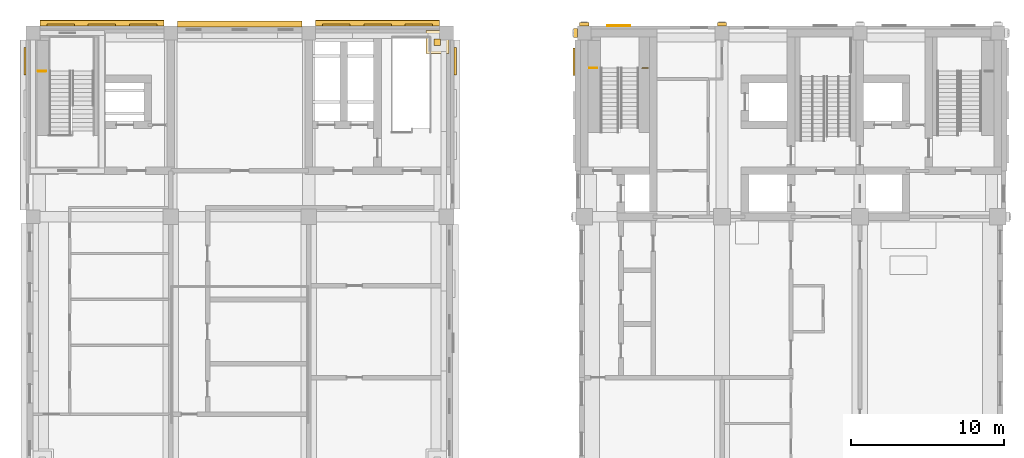
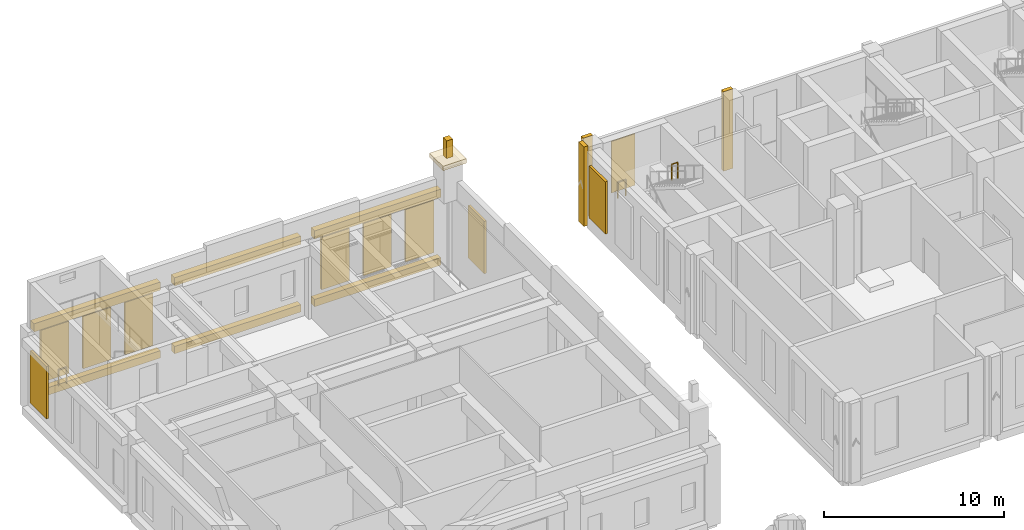
# One storey, part 33 of 37: 21 coverings, 3 railings.
"""IFC4 building model written with IfcOpenShell, lengths in metres."""

from ifc_helpers import new_model, si_unit, direction, frame, origin, origin_2d, place, context, subcontext, project, spatial, rectangle, circle, extrude, material, layer, layer_set, type_object, element, save


model = new_model("IFC4")

# Units and contexts
model_context = context("Model", 3, precision=1e-05, world=origin(), true_north=direction((0.0, 1.0)))
body_context = subcontext(model_context, "Body", "Model", "MODEL_VIEW")
ifc_project = project(units=[si_unit("LENGTHUNIT", "METRE"), si_unit("AREAUNIT", "SQUARE_METRE"), si_unit("VOLUMEUNIT", "CUBIC_METRE"), si_unit("PLANEANGLEUNIT", "RADIAN"), si_unit("MASSUNIT", "GRAM", prefix="KILO")], contexts=[model_context])

# Site, building, storey
site_placement = place(None, origin())
site = spatial("IfcSite", under=ifc_project, at=site_placement, CompositionType="ELEMENT")
building_placement = place(site_placement, origin())
building = spatial("IfcBuilding", under=site, at=building_placement, Name="Aurelan Courthouse", CompositionType="ELEMENT")
storey_placement = place(building_placement, frame((0.0, 0.0, 17.39990234375)))
storey = spatial("IfcBuildingStorey", under=building, at=storey_placement, Name="L03", CompositionType="ELEMENT", Elevation=17.39990234375)

# Coverings
ifc_material_1 = material(Name="Bronze sheet cladding")
ifc_layer_1 = layer(ifc_material_1, 0.06005859375)
ifc_layer_set_1 = layer_set([ifc_layer_1], Name="Bronze sheet cladding")
covering_type_1 = type_object("IfcCoveringType", Name="Courtroom Block blind bay 1500 x 3500", PredefinedType="CLADDING", material=ifc_layer_set_1)
covering_1_placement = place(storey_placement, frame((38.25, 66.47998046875, 1.050048828125), z_axis=(0.0, 0.0, 1.0), x_axis=(1.0, 0.0, 0.0)))
element("IfcCovering", 1, at=covering_1_placement, inside=storey, type_object=covering_type_1, Name="Blind bay BB-V2-L03-001", PredefinedType="CLADDING", context=body_context, shape_type="SweptSolid", body=[
    extrude(rectangle(XDim=1.5, YDim=0.06005859375, at=origin_2d()), origin(), (0.0, 0.0, 1.0), 3.5),
])
ifc_material_2 = material(Name="Limestone cladding", Category="masonry")
covering_type_2 = type_object("IfcCoveringType", Name="Courtroom Block pilaster fin 600 x 250", PredefinedType="CLADDING", material=ifc_material_2)
for number, where, z_axis, x_axis, name in (
    (2, (36.0, 66.574951171875, 0.000244140625), (0.0, 0.0, 1.0), (1.0, 0.0, 0.0), "Pilaster fin FN-V2-016"),
    (3, (45.0, 66.574951171875, 0.000244140625), (0.0, 0.0, 1.0), (1.0, 0.0, 0.0), "Pilaster fin FN-V2-017"),
):
    element("IfcCovering", number, at=place(storey_placement, frame(where, z_axis=z_axis, x_axis=x_axis)), inside=storey, type_object=covering_type_2, Name=name, PredefinedType="CLADDING", context=body_context, shape_type="SweptSolid", body=[
        extrude(rectangle(XDim=0.60009765625, YDim=0.25, at=origin_2d()), origin(), (0.0, 0.0, 1.0), 5.39990234375),
    ])
covering_2_placement = place(storey_placement, frame((35.425048828125, 66.0, 0.000244140625), z_axis=(0.0, 0.0, 1.0), x_axis=(1.0, 0.0, 0.0)))
element("IfcCovering", 4, at=covering_2_placement, inside=storey, type_object=covering_type_2, Name="Pilaster fin FN-V2-025", PredefinedType="CLADDING", context=body_context, shape_type="SweptSolid", body=[
    extrude(rectangle(XDim=0.25, YDim=0.60009765625, at=origin_2d()), origin(), (0.0, 0.0, 1.0), 5.39990234375),
])
ifc_material_3 = material(Name="Granite cladding", Category="masonry")
covering_type_3 = type_object("IfcCoveringType", Name="Crown cap 1500 x 300", PredefinedType="CLADDING", material=ifc_material_3)
covering_3_placement = place(storey_placement, frame((26.39990234375, 65.39990234375, 7.80029296875), z_axis=(0.0, 0.0, 1.0), x_axis=(1.0, 0.0, 0.0)))
element("IfcCovering", 5, at=covering_3_placement, inside=storey, type_object=covering_type_3, Name="Crown cap CR6-CAP-NE", PredefinedType="CLADDING", context=body_context, shape_type="SweptSolid", body=[
    extrude(rectangle(XDim=1.5, YDim=1.5, at=origin_2d()), origin(), (0.0, 0.0, 1.0), 0.300048828125),
])
ifc_material_4 = material(Name="Bronze-finished aluminium", Category="aluminium")
covering_type_4 = type_object("IfcCoveringType", Name="Crown finial 400 x 1200", PredefinedType="CLADDING", material=ifc_material_4)
covering_4_placement = place(storey_placement, frame((26.39990234375, 65.39990234375, 8.10009765625), z_axis=(0.0, 0.0, 1.0), x_axis=(1.0, 0.0, 0.0)))
element("IfcCovering", 6, at=covering_4_placement, inside=storey, type_object=covering_type_4, Name="Crown finial CR6-FIN-NE", PredefinedType="CLADDING", context=body_context, shape_type="SweptSolid", body=[
    extrude(rectangle(XDim=0.39990234375, YDim=0.39990234375, at=origin_2d()), origin(), (0.0, 0.0, 1.0), 1.199951171875),
])
covering_type_5 = type_object("IfcCoveringType", Name="Custody Suite cornice 550 x 400", PredefinedType="CLADDING", material=ifc_material_2)
for number, where, z_axis, x_axis, name in (
    (7, (13.5, 66.60009765625, 4.60009765625), (0.0, 0.0, 1.0), (1.0, 0.0, 0.0), "Cornice CRN-V6-008"),
    (8, (4.5, 66.64990234375, 4.60009765625), (0.0, 0.0, 1.0), (1.0, 0.0, 0.0), "Cornice CRN-V6-009"),
    (9, (22.5, 66.64990234375, 4.60009765625), (0.0, 0.0, 1.0), (1.0, 0.0, 0.0), "Cornice CRN-V6-010"),
):
    element("IfcCovering", number, at=place(storey_placement, frame(where, z_axis=z_axis, x_axis=x_axis)), inside=storey, type_object=covering_type_5, Name=name, PredefinedType="CLADDING", context=body_context, shape_type="SweptSolid", body=[
        extrude(rectangle(XDim=8.10009765625, YDim=0.39990234375, at=origin_2d()), origin(), (0.0, 0.0, 1.0), 0.550048828125),
    ])
covering_type_6 = type_object("IfcCoveringType", Name="Custody Suite string course 500 x 380", PredefinedType="CLADDING", material=ifc_material_2)
for number, where, z_axis, x_axis, name in (
    (10, (13.5, 66.590087890625, 0.0), (0.0, 0.0, 1.0), (1.0, 0.0, 0.0), "String course SC-V6-018"),
    (11, (4.5, 66.639892578125, 0.0), (0.0, 0.0, 1.0), (1.0, 0.0, 0.0), "String course SC-V6-019"),
    (12, (22.5, 66.639892578125, 0.0), (0.0, 0.0, 1.0), (1.0, 0.0, 0.0), "String course SC-V6-020"),
):
    element("IfcCovering", number, at=place(storey_placement, frame(where, z_axis=z_axis, x_axis=x_axis)), inside=storey, type_object=covering_type_6, Name=name, PredefinedType="CLADDING", context=body_context, shape_type="SweptSolid", body=[
        extrude(rectangle(XDim=8.10009765625, YDim=0.3798828125, at=origin_2d()), origin(), (0.0, 0.0, 1.0), 0.5),
    ])
ifc_layer_2 = layer(ifc_material_1, 0.14990234375)
ifc_layer_set_2 = layer_set([ifc_layer_2], Name="Bronze sheet cladding")
covering_type_7 = type_object("IfcCoveringType", Name="Relief panel 1800 x 3550 x 150", PredefinedType="CLADDING", material=ifc_layer_set_2)
for number, where, z_axis, x_axis, name in (
    (13, (35.324951171875, 64.125, 1.0), (0.0, 0.0, 1.0), (1.0, 0.0, 0.0), "Relief panel RP-V2-020"),
    (14, (-0.52490234375, 64.16259765625, 1.0), (0.0, 0.0, 1.0), (1.0, 0.0, 0.0), "Relief panel RP-V6-016"),
    (15, (27.574951171875, 64.168701171875, 1.0), (0.0, 0.0, 1.0), (1.0, 0.0, 0.0), "Relief panel RP-V6-019"),
):
    element("IfcCovering", number, at=place(storey_placement, frame(where, z_axis=z_axis, x_axis=x_axis)), inside=storey, type_object=covering_type_7, Name=name, PredefinedType="CLADDING", context=body_context, shape_type="SweptSolid", body=[
        extrude(rectangle(XDim=0.14990234375, YDim=1.800048828125, at=origin_2d()), origin(), (0.0, 0.0, 1.0), 3.550048828125),
    ])
for number, where, z_axis, x_axis, name in (
    (16, (1.800048828125, 66.52490234375, 1.0), (0.0, 0.0, 1.0), (1.0, 0.0, 0.0), "Relief panel RP-V6-020"),
    (17, (4.5, 66.52490234375, 1.0), (0.0, 0.0, 1.0), (1.0, 0.0, 0.0), "Relief panel RP-V6-021"),
    (18, (7.199951171875, 66.52490234375, 1.0), (0.0, 0.0, 1.0), (1.0, 0.0, 0.0), "Relief panel RP-V6-022"),
    (19, (19.800048828125, 66.52490234375, 1.0), (0.0, 0.0, 1.0), (1.0, 0.0, 0.0), "Relief panel RP-V6-023"),
    (20, (22.5, 66.52490234375, 1.0), (0.0, 0.0, 1.0), (1.0, 0.0, 0.0), "Relief panel RP-V6-024"),
    (21, (25.199951171875, 66.52490234375, 1.0), (0.0, 0.0, 1.0), (1.0, 0.0, 0.0), "Relief panel RP-V6-025"),
):
    element("IfcCovering", number, at=place(storey_placement, frame(where, z_axis=z_axis, x_axis=x_axis)), inside=storey, type_object=covering_type_7, Name=name, PredefinedType="CLADDING", context=body_context, shape_type="SweptSolid", body=[
        extrude(rectangle(XDim=1.800048828125, YDim=0.14990234375, at=origin_2d()), origin(), (0.0, 0.0, 1.0), 3.550048828125),
    ])

# Railings
ifc_material_5 = material(Name="Steel S355", Category="steel")
railing_type = type_object("IfcRailingType", Name="Stair guard 1100", PredefinedType="GUARDRAIL", material=ifc_material_5)
railing_1_placement = place(storey_placement, frame((36.830078125, 63.7099609375, 2.787109375)))
element("IfcRailing", 22, at=railing_1_placement, inside=storey, type_object=railing_type, Name="Guard CS-2-L03-GL1", PredefinedType="GUARDRAIL", context=body_context, shape_type="SweptSolid", body=[
    extrude(circle(Radius=0.02392578125, at=origin_2d()), frame((0.0, 0.0, 1.076171875), z_axis=(-1.0, 0.0, 0.0), x_axis=(0.0, -1.0, 0.0)), (0.0, 0.0, 1.0), 0.5),
    extrude(circle(Radius=0.02099609375, at=origin_2d()), origin(), (0.0, 0.0, 1.0), 1.052001953125),
    extrude(circle(Radius=0.02099609375, at=origin_2d()), frame((-0.5, 0.0, 0.0)), (0.0, 0.0, 1.0), 1.052001953125),
])
railing_2_placement = place(storey_placement, frame((40.169921875, 63.7099609375, 2.787109375)))
element("IfcRailing", 23, at=railing_2_placement, inside=storey, type_object=railing_type, Name="Guard CS-2-L03-GL2", PredefinedType="GUARDRAIL", context=body_context, shape_type="SweptSolid", body=[
    extrude(circle(Radius=0.02392578125, at=origin_2d()), frame((0.0, 0.0, 1.076171875), z_axis=(-1.0, 0.0, 0.0), x_axis=(0.0, -1.0, 0.0)), (0.0, 0.0, 1.0), 0.3798828125),
    extrude(circle(Radius=0.02099609375, at=origin_2d()), origin(), (0.0, 0.0, 1.0), 1.052001953125),
    extrude(circle(Radius=0.02099609375, at=origin_2d()), frame((-0.3798828125, 0.0, 0.0)), (0.0, 0.0, 1.0), 1.052001953125),
])
railing_3_placement = place(storey_placement, frame((0.830078125, 63.510009765625, 2.787109375)))
element("IfcRailing", 24, at=railing_3_placement, inside=storey, type_object=railing_type, Name="Guard ST-6-L03-GL1", PredefinedType="GUARDRAIL", context=body_context, shape_type="SweptSolid", body=[
    extrude(circle(Radius=0.02392578125, at=origin_2d()), frame((0.0, 0.0, 1.076171875), z_axis=(-1.0, 0.0, 0.0), x_axis=(0.0, -1.0, 0.0)), (0.0, 0.0, 1.0), 0.5),
    extrude(circle(Radius=0.02099609375, at=origin_2d()), origin(), (0.0, 0.0, 1.0), 1.052001953125),
    extrude(circle(Radius=0.02099609375, at=origin_2d()), frame((-0.5, 0.0, 0.0)), (0.0, 0.0, 1.0), 1.052001953125),
])

save(model, "model.ifc")
